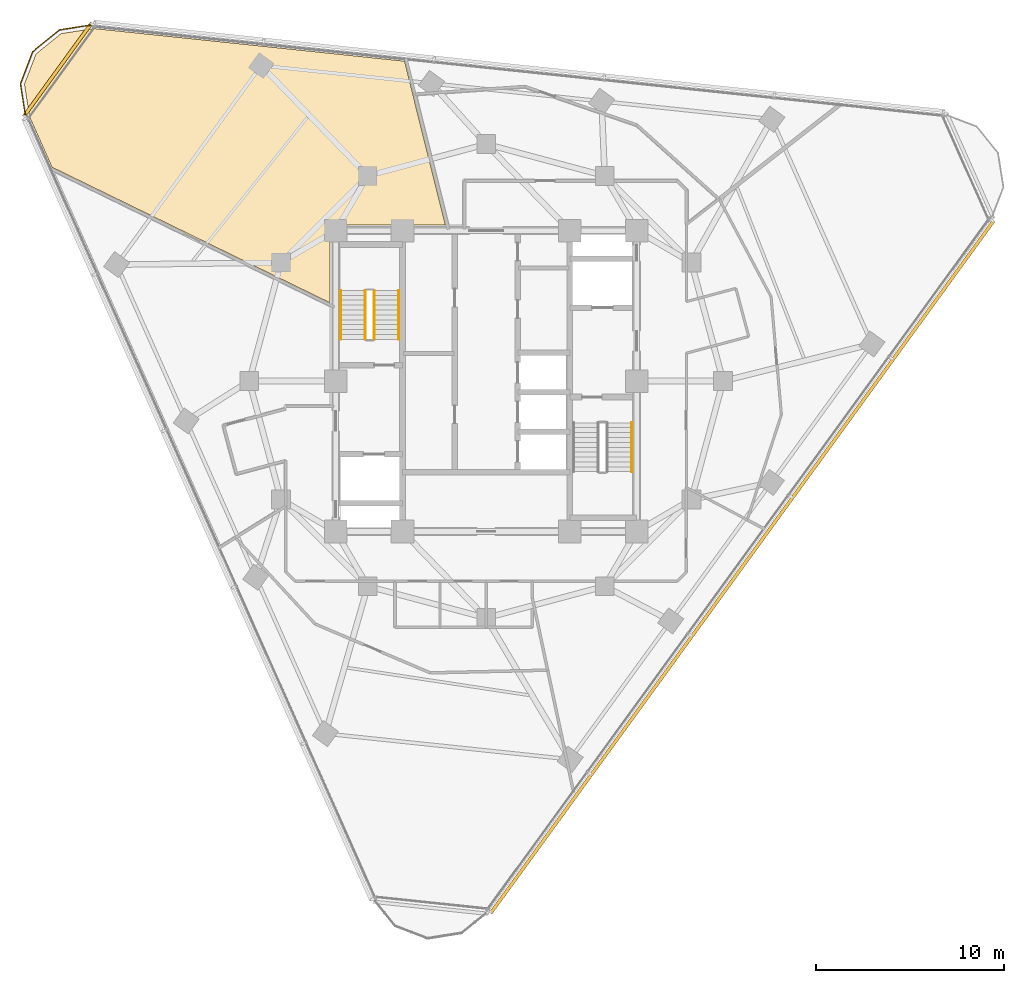
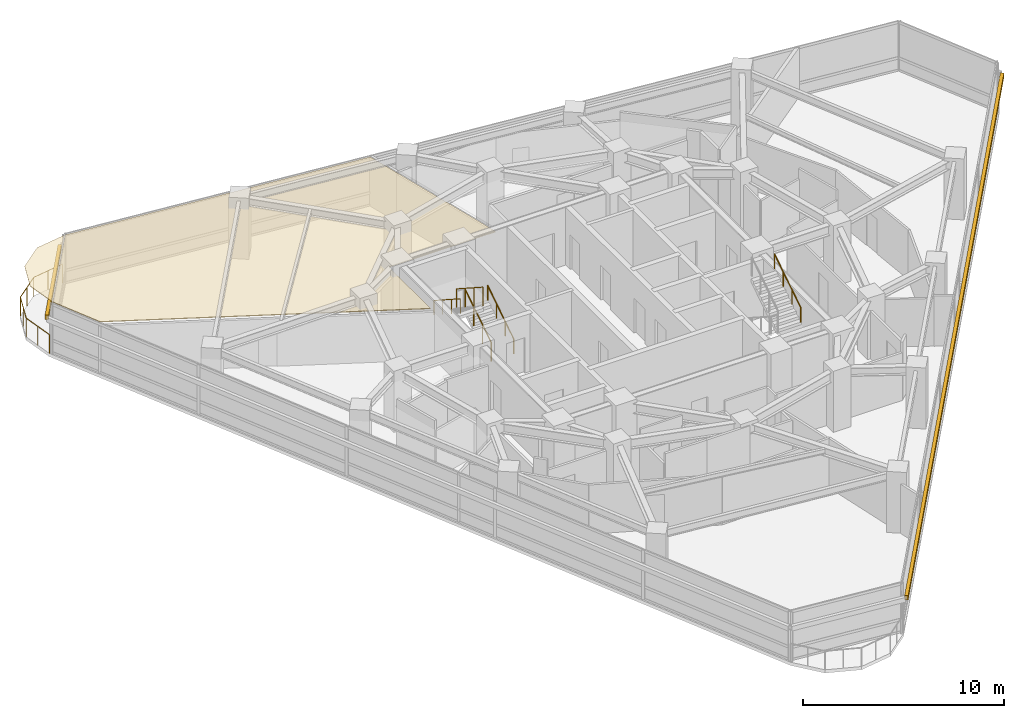
# One storey, part 13 of 14: 6 railings, 2 shading devices, 1 covering.
"""IFC4 building model written with IfcOpenShell, lengths in metres."""

from ifc_helpers import new_model, si_unit, direction, frame, origin, origin_2d, place, context, subcontext, project, spatial, polyline, rectangle, circle, outline, extrude, material, layer, layer_set, type_object, element, save


model = new_model("IFC4")

# Units and contexts
model_context = context("Model", 3, precision=1e-05, world=origin(), true_north=direction((0.0, 1.0)))
body_context = subcontext(model_context, "Body", "Model", "MODEL_VIEW")
ifc_project = project(units=[si_unit("LENGTHUNIT", "METRE"), si_unit("AREAUNIT", "SQUARE_METRE"), si_unit("VOLUMEUNIT", "CUBIC_METRE"), si_unit("PLANEANGLEUNIT", "RADIAN"), si_unit("MASSUNIT", "GRAM", prefix="KILO")], contexts=[model_context])

# Site, building, storey
site_placement = place(None, origin())
site = spatial("IfcSite", under=ifc_project, at=site_placement, CompositionType="ELEMENT")
building_placement = place(site_placement, origin())
building = spatial("IfcBuilding", under=site, at=building_placement, Name="Terralouvre Media Tower", CompositionType="ELEMENT")
storey_placement = place(building_placement, frame((0.0, 0.0, 218.89990234375)))
storey = spatial("IfcBuildingStorey", under=building, at=storey_placement, Name="L56", CompositionType="ELEMENT", Elevation=218.89990234375)

# Covering
ifc_material_1 = material(Name="Perforated aluminium acoustic ceiling baffle", Category="aluminium")
ifc_layer_1 = layer(ifc_material_1, 0.0400390625, Name="Perforated Acoustic Metal Tile Ceiling CL-AC1")
ifc_layer_set_1 = layer_set([ifc_layer_1], Name="Perforated aluminium acoustic ceiling baffle")
covering_type = type_object("IfcCoveringType", Name="Perforated Acoustic Metal Tile Ceiling CL-AC1", PredefinedType="CEILING", material=ifc_layer_set_1)
covering_placement = place(storey_placement, frame((0.0, 0.0, 2.97998046875), z_axis=(0.0, 0.0, 1.0), x_axis=(0.587785252292, 0.809016994375, 0.0)))
element("IfcCovering", 1, at=covering_placement, inside=storey, type_object=covering_type, Name="L56 Network Executive Boardroom 9 Acoustic Ceiling", PredefinedType="CEILING", context=body_context, shape_type="SweptSolid", body=[
    extrude(outline(polyline([(-1.515869140625, 9.17041015625), (1.757568359375, 11.548583984375), (1.765869140625, 11.553955078125), (1.7744140625, 11.55859375), (1.783447265625, 11.562255859375), (1.79296875, 11.56494140625), (1.802490234375, 11.56689453125), (1.8125, 11.567626953125), (1.822265625, 11.567626953125), (1.83203125, 11.56640625), (1.841552734375, 11.564453125), (1.850830078125, 11.5615234375), (1.85986328125, 11.5576171875), (1.86865234375, 11.552978515625), (1.876708984375, 11.54736328125), (1.88427734375, 11.541259765625), (1.89111328125, 11.5341796875), (1.897216796875, 11.526611328125), (5.444580078125, 6.64404296875), (10.029541015625, 12.107666015625), (11.208984375, 13.5146484375), (2.898193359375, 27.908935546875), (1.66064453125, 29.146484375), (-0.000244140625, 29.591552734375), (-1.66064453125, 29.146240234375), (-2.8984375, 27.908935546875), (-4.3701171875, 25.360107421875), (-1.515869140625, 9.17041015625)])), origin(), (0.0, 0.0, 1.0), 0.0400390625),
])

# Railings
ifc_material_2 = material(Name="Stainless steel 316 handrail and balustrade", Category="steel")
ifc_layer_2 = layer(ifc_material_2, 0.06005859375, Name="Roof Edge Safety Guardrail GR-ROOF1")
ifc_layer_set_2 = layer_set([ifc_layer_2], Name="Stainless steel 316 handrail and balustrade")
railing_type_1 = type_object("IfcRailingType", Name="Roof Edge Safety Guardrail GR-ROOF1", PredefinedType="GUARDRAIL", material=ifc_layer_set_2)
railing_1_placement = place(storey_placement, frame((-20.870361328125, 18.961181640625, 0.0)))
element("IfcRailing", 2, at=railing_1_placement, inside=storey, type_object=railing_type_1, Name="L56 Wind-Corner Perimeter Safety Guardrail C2", PredefinedType="GUARDRAIL", context=body_context, shape_type="SweptSolid", body=[
    extrude(circle(Radius=0.02099609375, at=origin_2d()), frame((0.0, 0.0, 1.12890625), z_axis=(-0.987731695444, -0.156160487372, 0.0), x_axis=(0.156160487372, -0.987731695444, 0.0)), (0.0, 0.0, 1.0), 1.8369140625),
    extrude(circle(Radius=0.02099609375, at=origin_2d()), frame((-1.814453125, -0.286865234375, 1.12890625), z_axis=(-0.777198436724, -0.629255583967, 0.0), x_axis=(0.629255583967, -0.777198436724, 0.0)), (0.0, 0.0, 1.0), 1.836669921875),
    extrude(circle(Radius=0.02099609375, at=origin_2d()), frame((-3.241943359375, -1.442626953125, 1.12890625), z_axis=(-0.35822186013, -0.933636491856, 0.0), x_axis=(0.933636491856, -0.35822186013, 0.0)), (0.0, 0.0, 1.0), 1.836669921875),
    extrude(circle(Radius=0.02099609375, at=origin_2d()), frame((-3.89990234375, -3.157470703125, 1.12890625), z_axis=(0.156699635824, -0.987646305178, 0.0), x_axis=(0.987646305178, 0.156699635824, 0.0)), (0.0, 0.0, 1.0), 1.8369140625),
    extrude(circle(Radius=0.01904296875, at=origin_2d()), origin(), (0.0, 0.0, 1.0), 1.10791015625),
    extrude(circle(Radius=0.01904296875, at=origin_2d()), frame((-0.9072265625, -0.1435546875, 0.0)), (0.0, 0.0, 1.0), 1.10791015625),
    extrude(circle(Radius=0.01904296875, at=origin_2d()), frame((-1.814453125, -0.286865234375, 0.0)), (0.0, 0.0, 1.0), 1.10791015625),
    extrude(circle(Radius=0.01904296875, at=origin_2d()), frame((-2.5283203125, -0.86474609375, 0.0)), (0.0, 0.0, 1.0), 1.10791015625),
    extrude(circle(Radius=0.01904296875, at=origin_2d()), frame((-3.241943359375, -1.442626953125, 0.0)), (0.0, 0.0, 1.0), 1.10791015625),
    extrude(circle(Radius=0.01904296875, at=origin_2d()), frame((-3.57080078125, -2.300048828125, 0.0)), (0.0, 0.0, 1.0), 1.10791015625),
    extrude(circle(Radius=0.01904296875, at=origin_2d()), frame((-3.89990234375, -3.157470703125, 0.0)), (0.0, 0.0, 1.0), 1.10791015625),
    extrude(circle(Radius=0.01904296875, at=origin_2d()), frame((-3.755859375, -4.064453125, 0.0)), (0.0, 0.0, 1.0), 1.10791015625),
    extrude(circle(Radius=0.01904296875, at=origin_2d()), frame((-3.612060546875, -4.9716796875, 0.0)), (0.0, 0.0, 1.0), 1.10791015625),
])
ifc_material_3 = material(Name="Stainless steel 316 handrail and balustrade", Category="steel")
ifc_layer_3 = layer(ifc_material_3, 0.050048828125, Name="Stair Flight Wall Handrail HR-INT1")
ifc_layer_set_3 = layer_set([ifc_layer_3], Name="Stainless steel 316 handrail and balustrade")
railing_type_2 = type_object("IfcRailingType", Name="Stair Flight Wall Handrail HR-INT1", PredefinedType="HANDRAIL", material=ifc_layer_set_3)
railing_2_placement = place(storey_placement, frame((-4.64990234375, 2.219970703125, 0.168212890625)))
element("IfcRailing", 3, at=railing_2_placement, inside=storey, type_object=railing_type_2, Name="L56 ST-01 stair handrail 1", PredefinedType="HANDRAIL", context=body_context, shape_type="SweptSolid", body=[
    extrude(circle(Radius=0.02392578125, at=origin_2d()), frame((0.0, 0.0, 0.8759765625), z_axis=(0.0, 0.839648411786, 0.543130320075), x_axis=(-1.0, 0.0, 0.0)), (0.0, 0.0, 1.0), 3.0966796875),
    extrude(circle(Radius=0.02099609375, at=origin_2d()), origin(), (0.0, 0.0, 1.0), 0.851806640625),
    extrude(circle(Radius=0.02099609375, at=origin_2d()), frame((0.0, 0.86669921875, 0.560546875)), (0.0, 0.0, 1.0), 0.851806640625),
    extrude(circle(Radius=0.02099609375, at=origin_2d()), frame((0.0, 1.7333984375, 1.121337890625)), (0.0, 0.0, 1.0), 0.851806640625),
    extrude(circle(Radius=0.02099609375, at=origin_2d()), frame((0.0, 2.60009765625, 1.681884765625)), (0.0, 0.0, 1.0), 0.851806640625),
])
railing_3_placement = place(storey_placement, frame((-7.72998046875, 4.820068359375, 2.018310546875)))
element("IfcRailing", 4, at=railing_3_placement, inside=storey, type_object=railing_type_2, Name="L56 ST-01 stair handrail 2", PredefinedType="HANDRAIL", context=body_context, shape_type="SweptSolid", body=[
    extrude(circle(Radius=0.02392578125, at=origin_2d()), frame((0.0, 0.0, 0.8759765625), z_axis=(0.0, -0.839648411786, 0.543130320075), x_axis=(1.0, 0.0, 0.0)), (0.0, 0.0, 1.0), 3.0966796875),
    extrude(circle(Radius=0.02099609375, at=origin_2d()), origin(), (0.0, 0.0, 1.0), 0.851806640625),
    extrude(circle(Radius=0.02099609375, at=origin_2d()), frame((0.0, -0.86669921875, 0.560546875)), (0.0, 0.0, 1.0), 0.851806640625),
    extrude(circle(Radius=0.02099609375, at=origin_2d()), frame((0.0, -1.7333984375, 1.121337890625)), (0.0, 0.0, 1.0), 0.851806640625),
    extrude(circle(Radius=0.02099609375, at=origin_2d()), frame((0.0, -2.60009765625, 1.681884765625)), (0.0, 0.0, 1.0), 0.851806640625),
])
railing_4_placement = place(storey_placement, frame((7.72998046875, -4.820068359375, 2.018310546875)))
element("IfcRailing", 5, at=railing_4_placement, inside=storey, type_object=railing_type_2, Name="L56 ST-02 stair handrail 2", PredefinedType="HANDRAIL", context=body_context, shape_type="SweptSolid", body=[
    extrude(circle(Radius=0.02392578125, at=origin_2d()), frame((0.0, 0.0, 0.8759765625), z_axis=(0.0, 0.839648411786, 0.543130320075), x_axis=(-1.0, 0.0, 0.0)), (0.0, 0.0, 1.0), 3.0966796875),
    extrude(circle(Radius=0.02099609375, at=origin_2d()), origin(), (0.0, 0.0, 1.0), 0.851806640625),
    extrude(circle(Radius=0.02099609375, at=origin_2d()), frame((0.0, 0.86669921875, 0.560546875)), (0.0, 0.0, 1.0), 0.851806640625),
    extrude(circle(Radius=0.02099609375, at=origin_2d()), frame((0.0, 1.7333984375, 1.121337890625)), (0.0, 0.0, 1.0), 0.851806640625),
    extrude(circle(Radius=0.02099609375, at=origin_2d()), frame((0.0, 2.60009765625, 1.681884765625)), (0.0, 0.0, 1.0), 0.851806640625),
])
ifc_material_4 = material(Name="Stainless steel 316 handrail and balustrade", Category="steel")
ifc_layer_4 = layer(ifc_material_4, 0.050048828125, Name="Stairwell Safety Guardrail GR-INT1")
ifc_layer_set_4 = layer_set([ifc_layer_4], Name="Stainless steel 316 handrail and balustrade")
railing_type_3 = type_object("IfcRailingType", Name="Stairwell Safety Guardrail GR-INT1", PredefinedType="GUARDRAIL", material=ifc_layer_set_4)
railing_5_placement = place(storey_placement, frame((-5.949951171875, 2.219970703125, 0.168212890625)))
element("IfcRailing", 6, at=railing_5_placement, inside=storey, type_object=railing_type_3, Name="L56 ST-01 stair guard 1", PredefinedType="GUARDRAIL", context=body_context, shape_type="SweptSolid", body=[
    extrude(circle(Radius=0.02392578125, at=origin_2d()), frame((0.0, 0.0, 1.1259765625), z_axis=(0.0, 0.839648411786, 0.543130320075), x_axis=(-1.0, 0.0, 0.0)), (0.0, 0.0, 1.0), 3.0966796875),
    extrude(circle(Radius=0.02099609375, at=origin_2d()), origin(), (0.0, 0.0, 1.0), 1.101806640625),
    extrude(circle(Radius=0.02099609375, at=origin_2d()), frame((0.0, 0.86669921875, 0.560546875)), (0.0, 0.0, 1.0), 1.101806640625),
    extrude(circle(Radius=0.02099609375, at=origin_2d()), frame((0.0, 1.7333984375, 1.121337890625)), (0.0, 0.0, 1.0), 1.101806640625),
    extrude(circle(Radius=0.02099609375, at=origin_2d()), frame((0.0, 2.60009765625, 1.681884765625)), (0.0, 0.0, 1.0), 1.101806640625),
])
railing_6_placement = place(storey_placement, frame((-6.429931640625, 4.820068359375, 2.018310546875)))
element("IfcRailing", 7, at=railing_6_placement, inside=storey, type_object=railing_type_3, Name="L56 ST-01 stair guard 3", PredefinedType="GUARDRAIL", context=body_context, shape_type="SweptSolid", body=[
    extrude(circle(Radius=0.02392578125, at=origin_2d()), frame((0.0, 0.0, 1.1259765625), z_axis=(0.0, -0.839648411786, 0.543130320075), x_axis=(1.0, 0.0, 0.0)), (0.0, 0.0, 1.0), 3.0966796875),
    extrude(circle(Radius=0.02099609375, at=origin_2d()), origin(), (0.0, 0.0, 1.0), 1.101806640625),
    extrude(circle(Radius=0.02099609375, at=origin_2d()), frame((0.0, -0.86669921875, 0.560546875)), (0.0, 0.0, 1.0), 1.101806640625),
    extrude(circle(Radius=0.02099609375, at=origin_2d()), frame((0.0, -1.7333984375, 1.121337890625)), (0.0, 0.0, 1.0), 1.101806640625),
    extrude(circle(Radius=0.02099609375, at=origin_2d()), frame((0.0, -2.60009765625, 1.681884765625)), (0.0, 0.0, 1.0), 1.101806640625),
])

# Shading devices
ifc_material_5 = material(Name="Extruded terracotta baguette sunshade louvres", Category="masonry")
shading_device_type = type_object("IfcShadingDeviceType", Name="Terracotta Baguette Sunshade Louvre Screen TB-LV1", PredefinedType="USERDEFINED", material=ifc_material_5)
shading_device_1_placement = place(storey_placement, frame((13.611572265625, -9.889404296875, 2.02392578125), z_axis=(0.0, 0.0, 1.0), x_axis=(0.587785300879, 0.809016959074, 0.0)))
element("IfcShadingDevice", 8, at=shading_device_1_placement, inside=storey, type_object=shading_device_type, Name="CW-L56-F0 Terracotta Baguette Sunshade Louvre", ObjectType="BAGUETTE", PredefinedType="USERDEFINED", context=body_context, shape_type="SweptSolid", body=[
    extrude(rectangle(XDim=45.5, YDim=0.179931640625, at=origin_2d()), origin(), (0.0, 0.0, 1.0), 0.280029296875),
])
shading_device_2_placement = place(storey_placement, frame((-22.785400390625, 16.5546875, 2.02392578125), z_axis=(0.0, 0.0, 1.0), x_axis=(-0.58778588998, -0.809016531067, 0.0)))
element("IfcShadingDevice", 9, at=shading_device_2_placement, inside=storey, type_object=shading_device_type, Name="CW-L56-C2 Terracotta Baguette Sunshade Louvre", ObjectType="BAGUETTE", PredefinedType="USERDEFINED", context=body_context, shape_type="SweptSolid", body=[
    extrude(rectangle(XDim=6.148681640625, YDim=0.179931640625, at=origin_2d()), origin(), (0.0, 0.0, 1.0), 0.280029296875),
])

save(model, "model.ifc")
